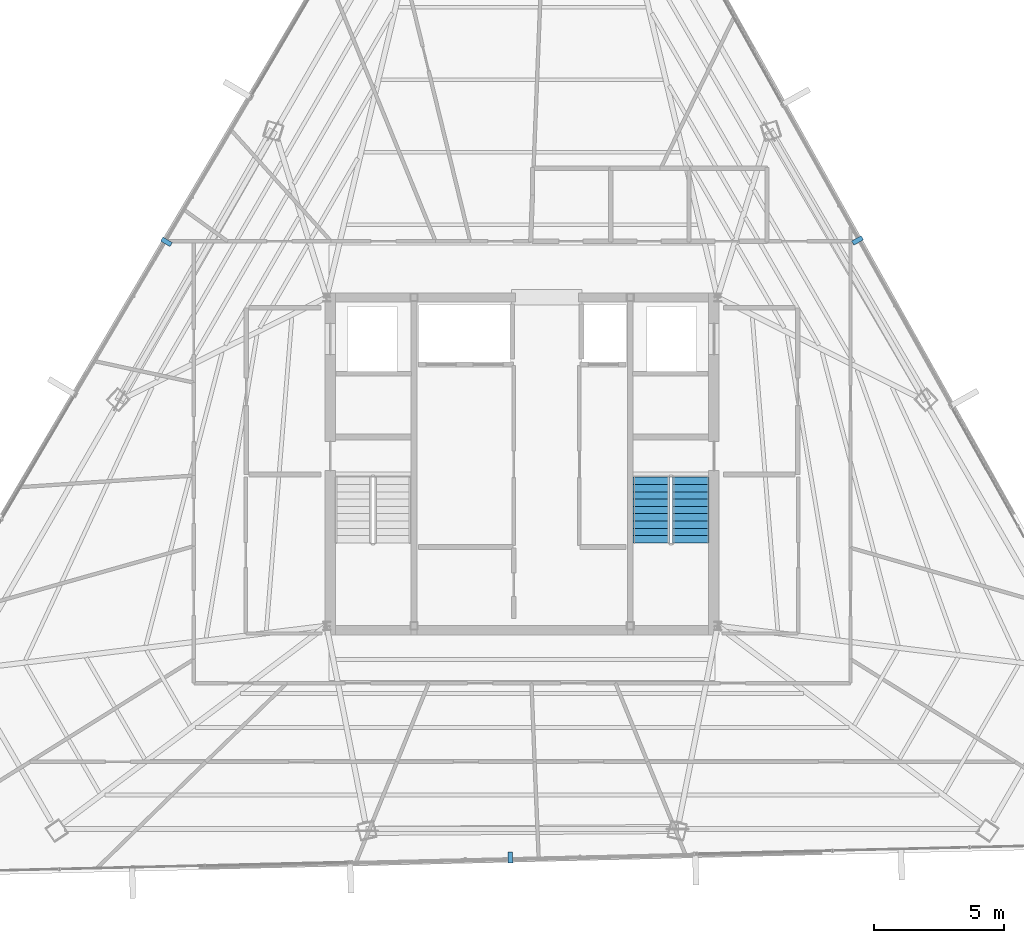
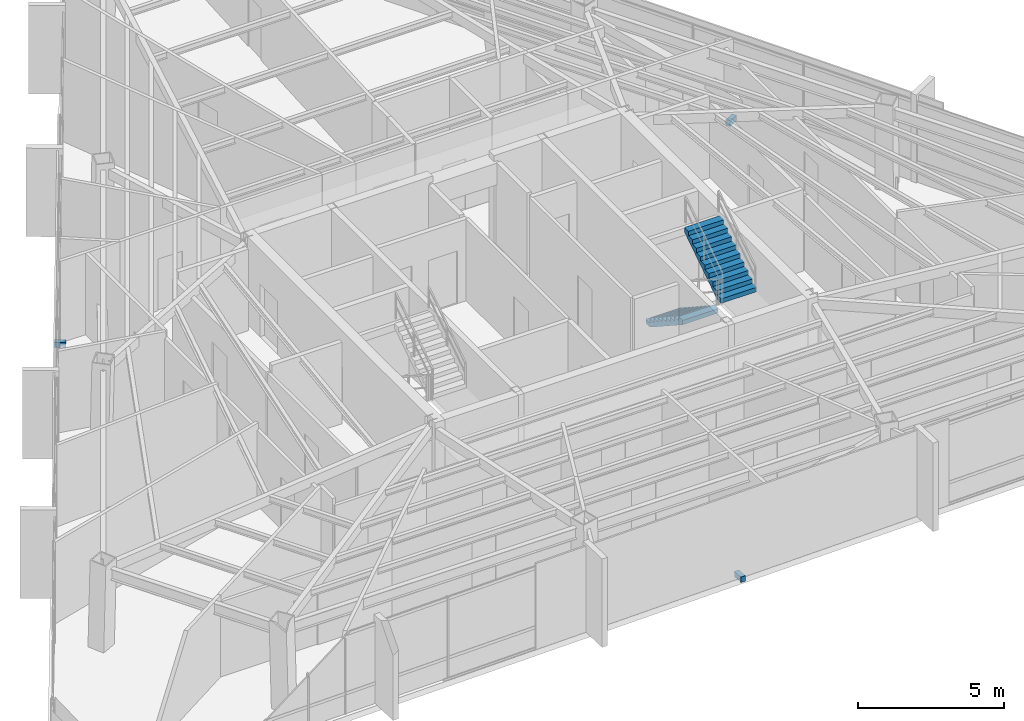
# One storey, part 43 of 45: 3 discrete accessories, 2 stair flights, 1 element without a shape of its own.
"""IFC4 building model written with IfcOpenShell, lengths in metres."""

from ifc_helpers import new_model, si_unit, direction, frame, origin, origin_2d, place, context, subcontext, project, spatial, polyline, rectangle, outline, extrude, source, transform, mapped, material, type_object, type_shapes, element, aggregate, save


model = new_model("IFC4")

# Units and contexts
model_context = context("Model", 3, precision=1e-05, world=origin(), true_north=direction((0.0, 1.0)))
body_context = subcontext(model_context, "Body", "Model", "MODEL_VIEW")
ifc_project = project(units=[si_unit("LENGTHUNIT", "METRE"), si_unit("AREAUNIT", "SQUARE_METRE"), si_unit("VOLUMEUNIT", "CUBIC_METRE"), si_unit("PLANEANGLEUNIT", "RADIAN"), si_unit("MASSUNIT", "GRAM", prefix="KILO")], contexts=[model_context])

# Site, building, storey
site_placement = place(None, origin())
site = spatial("IfcSite", under=ifc_project, at=site_placement, CompositionType="ELEMENT")
building_placement = place(site_placement, origin())
building = spatial("IfcBuilding", under=site, at=building_placement, Name="Caelisora Broadcast Tower", CompositionType="ELEMENT")
storey_placement = place(building_placement, frame((0.0, 0.0, 266.35009765625)))
storey = spatial("IfcBuildingStorey", under=building, at=storey_placement, Name="L70", CompositionType="ELEMENT", Elevation=266.35009765625)

# Stair, stair flights
ifc_material_1 = material(Name="Concrete 40 MPa (AS 3600 N40)", Category="concrete")
stair_type = type_object("IfcStairType", Name="ST-2", PredefinedType="HALF_TURN_STAIR", material=ifc_material_1)
stair_placement = place(storey_placement, origin())
stair = element("IfcStair", 1, at=stair_placement, inside=storey, type_object=stair_type, Name="L70 East Fire-Isolated Tower Stair", PredefinedType="HALF_TURN_STAIR")
stair_flight_type = type_object("IfcStairFlightType", Name="STF-4", PredefinedType="STRAIGHT", material=ifc_material_1)
stair_flight_1_placement = place(storey_placement, frame((42.9599609375, 23.10009765625, 0.0), z_axis=(0.0, 0.0, 1.0), x_axis=(0.0, -1.0, 0.0)))
stair_flight_1 = element("IfcStairFlight", 2, at=stair_flight_1_placement, type_object=stair_flight_type, Name="ST-2 flight 1", NumberOfRisers=10, NumberOfTreads=9, PredefinedType="STRAIGHT", RiserHeight=0.1825, TreadLength=0.28, context=body_context, shape_type="SweptSolid", body=[
    extrude(outline(polyline([(0.0, 0.0), (0.0, 0.1826171875), (0.280029296875, 0.1826171875), (0.280029296875, 0.364990234375), (0.56005859375, 0.364990234375), (0.56005859375, 0.547607421875), (0.840087890625, 0.547607421875), (0.840087890625, 0.72998046875), (1.1201171875, 0.72998046875), (1.1201171875, 0.91259765625), (1.39990234375, 0.91259765625), (1.39990234375, 1.094970703125), (1.679931640625, 1.094970703125), (1.679931640625, 1.277587890625), (1.9599609375, 1.277587890625), (1.9599609375, 1.4599609375), (2.239990234375, 1.4599609375), (2.239990234375, 1.642578125), (2.52001953125, 1.642578125), (2.52001953125, 1.824951171875), (2.52001953125, 1.463623046875), (0.2744140625, 0.0), (0.0, 0.0)])), frame((0.0, 0.699951171875, 0.0), z_axis=(0.0, -1.0, 0.0), x_axis=(1.0, 0.0, 0.0)), (0.0, 0.0, 1.0), 1.39990234375),
])
stair_flight_2_placement = place(storey_placement, frame((44.47998046875, 20.580078125, 1.824951171875), z_axis=(0.0, 0.0, 1.0), x_axis=(0.0, 1.0, 0.0)))
stair_flight_2 = element("IfcStairFlight", 3, at=stair_flight_2_placement, type_object=stair_flight_type, Name="ST-2 flight 2", NumberOfRisers=10, NumberOfTreads=9, PredefinedType="STRAIGHT", RiserHeight=0.1825, TreadLength=0.28, context=body_context, shape_type="SweptSolid", body=[
    extrude(outline(polyline([(0.0, 0.0), (0.0, 0.1826171875), (0.280029296875, 0.1826171875), (0.280029296875, 0.364990234375), (0.56005859375, 0.364990234375), (0.56005859375, 0.547607421875), (0.840087890625, 0.547607421875), (0.840087890625, 0.72998046875), (1.1201171875, 0.72998046875), (1.1201171875, 0.91259765625), (1.39990234375, 0.91259765625), (1.39990234375, 1.094970703125), (1.679931640625, 1.094970703125), (1.679931640625, 1.277587890625), (1.9599609375, 1.277587890625), (1.9599609375, 1.4599609375), (2.239990234375, 1.4599609375), (2.239990234375, 1.642578125), (2.52001953125, 1.642578125), (2.52001953125, 1.824951171875), (2.52001953125, 1.463623046875), (0.2744140625, 0.0), (0.0, 0.0)])), frame((0.0, 0.699951171875, 0.0), z_axis=(0.0, -1.0, 0.0), x_axis=(1.0, 0.0, 0.0)), (0.0, 0.0, 1.0), 1.39990234375),
])
aggregate(stair, [stair_flight_1, stair_flight_2])

# Discrete accessories
ifc_material_2 = material(Name="Steel Grade 350 (AS/NZS 3679.1)", Category="steel")
discrete_accessory_type = type_object("IfcDiscreteAccessoryType", Name="BRK-1", PredefinedType="BRACKET", material=ifc_material_2)
shared_shape = source(origin(), body_context, "Body", "SweptSolid", [
    extrude(rectangle(XDim=0.179931640625, YDim=0.419921875, at=origin_2d()), origin(), (0.0, 0.0, 1.0), 0.219970703125),
])
type_shapes(discrete_accessory_type, [shared_shape])
for number, where, z_axis, x_axis, name in (
    (4, (24.35595703125, 32.12841796875, -0.16015625), (0.0, 0.0, 1.0), (-0.508590662521, -0.861008442465, 0.0), "L70 solar screen outrigger bracket #1"),
    (5, (37.54931640625, 8.50390625, -0.16015625), (0.0, 0.0, 1.0), (0.999714145402, 0.023908732351, 0.0), "L70 solar screen outrigger bracket #2"),
    (6, (50.869384765625, 32.18310546875, -0.16015625), (0.0, 0.0, 1.0), (-0.487859659139, 0.87292207727, 0.0), "L70 solar screen outrigger bracket #3"),
):
    element("IfcDiscreteAccessory", number, at=place(storey_placement, frame(where, z_axis=z_axis, x_axis=x_axis)), inside=storey, type_object=discrete_accessory_type, Name=name, PredefinedType="BRACKET", context=body_context, shape_type="MappedRepresentation", body=[
        mapped(shared_shape, transform((0.0, 0.0, 0.0), scale=1.0)),
    ])

save(model, "model.ifc")
